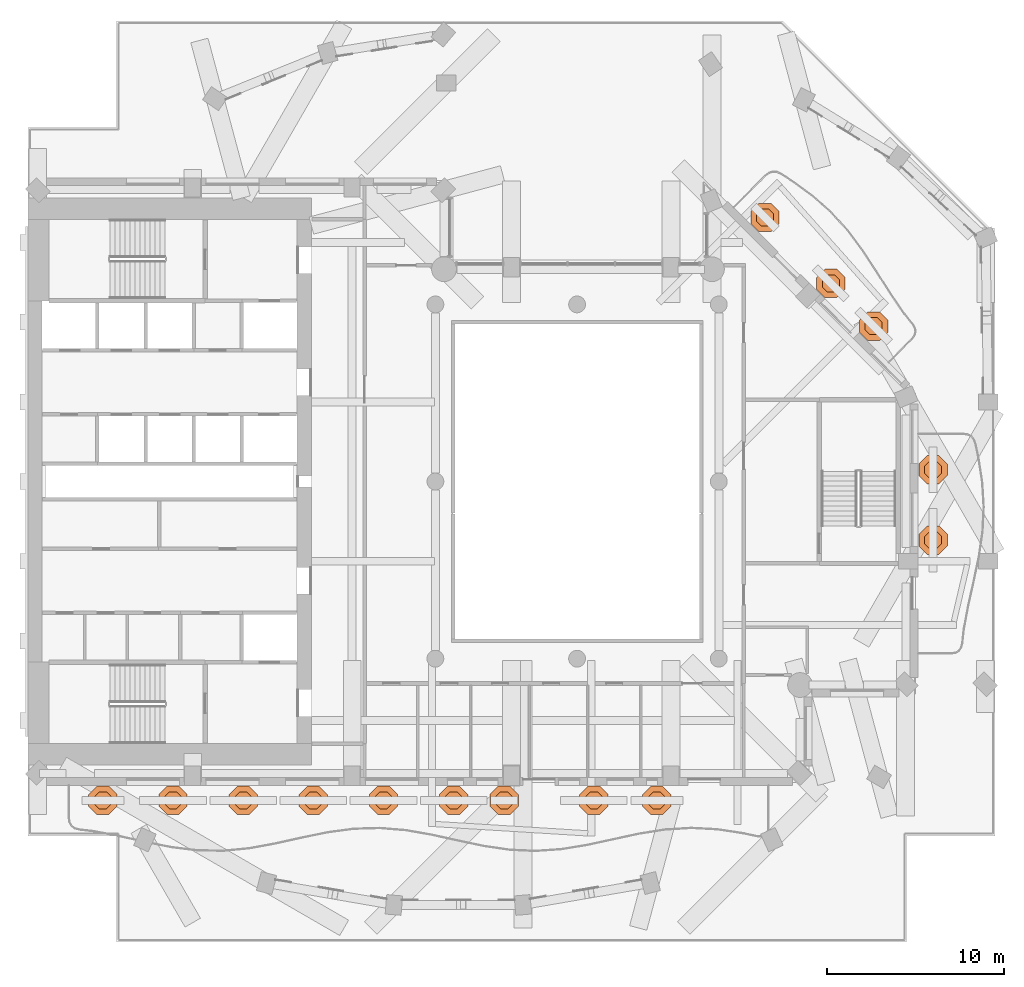
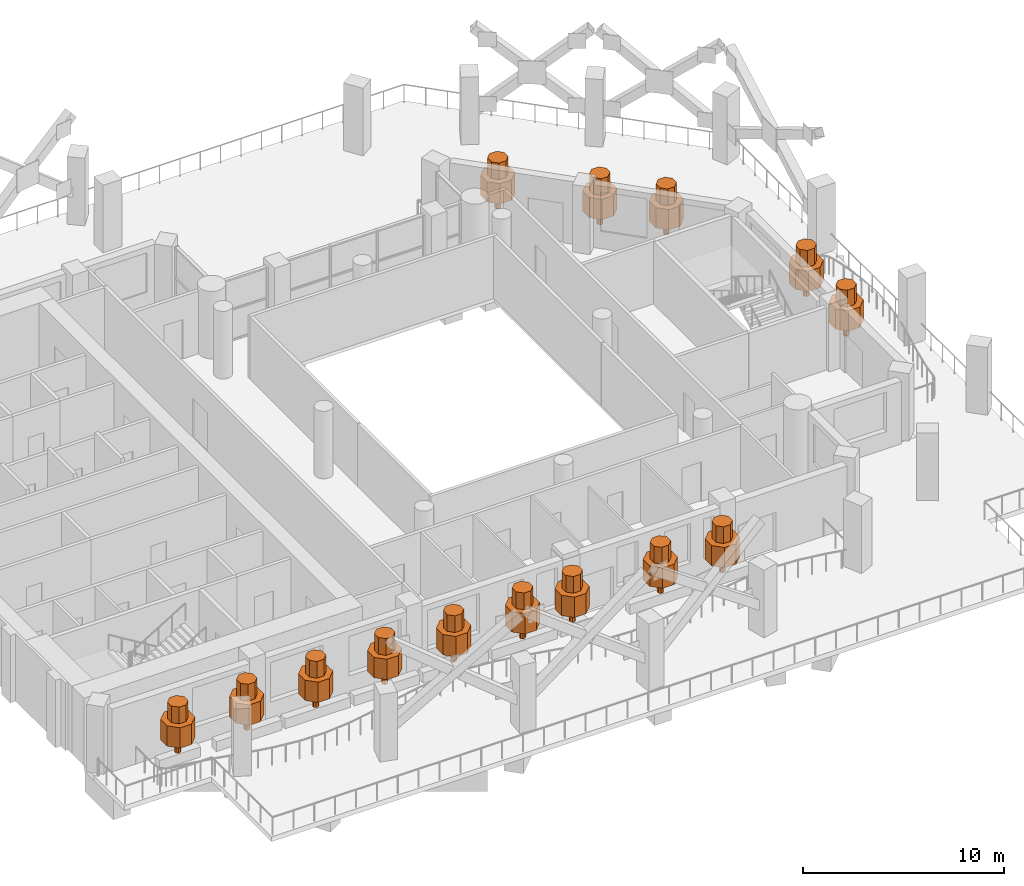
# One storey, part 18 of 18: 14 geographic elements.
"""IFC4 building model written with IfcOpenShell, lengths in metres."""

from ifc_helpers import new_model, si_unit, direction, frame, origin, place, context, subcontext, project, spatial, polyline, outline, extrude, material, type_object, element, save


model = new_model("IFC4")

# Units and contexts
model_context = context("Model", 3, precision=1e-05, world=origin(), true_north=direction((0.0, 1.0)))
body_context = subcontext(model_context, "Body", "Model", "MODEL_VIEW")
ifc_project = project(units=[si_unit("LENGTHUNIT", "METRE"), si_unit("AREAUNIT", "SQUARE_METRE"), si_unit("VOLUMEUNIT", "CUBIC_METRE"), si_unit("PLANEANGLEUNIT", "RADIAN"), si_unit("MASSUNIT", "GRAM", prefix="KILO")], contexts=[model_context])

# Site, building, storey
site_placement = place(None, origin())
site = spatial("IfcSite", under=ifc_project, at=site_placement, CompositionType="ELEMENT")
building_placement = place(site_placement, origin())
building = spatial("IfcBuilding", under=site, at=building_placement, Name="Cypress Arch Tower", CompositionType="ELEMENT")
storey_placement = place(building_placement, frame((0.0, 0.0, 160.5)))
storey = spatial("IfcBuildingStorey", under=building, at=storey_placement, Name="L34", CompositionType="ELEMENT", Elevation=160.5)

# Geographic elements
ifc_material = material(Name="Foliage and planting")
geographic_element_type = type_object("IfcGeographicElementType", Name="Balcony tree TR", PredefinedType="USERDEFINED", material=ifc_material)
for number, where, z_axis, x_axis, name in (
    (1, (-25.77001953125, -18.0, 0.60009765625), (0.0, 0.0, 1.0), (1.0, 0.0, 0.0), "Balcony tree L34-B01.1"),
    (2, (-21.81005859375, -18.0, 0.60009765625), (0.0, 0.0, 1.0), (1.0, 0.0, 0.0), "Balcony tree L34-B01.2"),
    (3, (-17.85009765625, -18.0, 0.60009765625), (0.0, 0.0, 1.0), (1.0, 0.0, 0.0), "Balcony tree L34-B01.3"),
    (4, (-13.889892578125, -18.0, 0.60009765625), (0.0, 0.0, 1.0), (1.0, 0.0, 0.0), "Balcony tree L34-B01.4"),
    (5, (-9.929931640625, -18.0, 0.60009765625), (0.0, 0.0, 1.0), (1.0, 0.0, 0.0), "Balcony tree L34-B01.5"),
    (6, (-5.969970703125, -18.0, 0.60009765625), (0.0, 0.0, 1.0), (1.0, 0.0, 0.0), "Balcony tree L34-B01.6"),
    (7, (-3.1201171875, -18.0, 0.60009765625), (0.0, 0.0, 1.0), (1.0, 0.0, 0.0), "Balcony tree L34-B01.7"),
    (8, (1.949951171875, -18.0, 0.60009765625), (0.0, 0.0, 1.0), (1.0, 0.0, 0.0), "Balcony tree L34-B01.8"),
    (9, (5.50244140625, -18.0, 0.60009765625), (0.0, 0.0, 1.0), (1.0, 0.0, 0.0), "Balcony tree L34-B01.9"),
    (10, (21.10009765625, -3.308349609375, 0.60009765625), (0.0, 0.0, 1.0), (1.0, 0.0, 0.0), "Balcony tree L34-B04.1"),
    (11, (21.10009765625, 0.666748046875, 0.60009765625), (0.0, 0.0, 1.0), (1.0, 0.0, 0.0), "Balcony tree L34-B04.2"),
    (12, (17.746337890625, 8.767822265625, 0.60009765625), (0.0, 0.0, 1.0), (1.0, 0.0, 0.0), "Balcony tree L34-B05.1"),
    (13, (15.324462890625, 11.189697265625, 0.60009765625), (0.0, 0.0, 1.0), (1.0, 0.0, 0.0), "Balcony tree L34-B05.2"),
    (14, (11.607177734375, 14.906982421875, 0.60009765625), (0.0, 0.0, 1.0), (1.0, 0.0, 0.0), "Balcony tree L34-B05.3"),
):
    element("IfcGeographicElement", number, at=place(storey_placement, frame(where, z_axis=z_axis, x_axis=x_axis)), inside=storey, type_object=geographic_element_type, Name=name, ObjectType="TREE", PredefinedType="USERDEFINED", context=body_context, shape_type="SweptSolid", body=[
        extrude(outline(polyline([(0.14990234375, 0.06201171875), (0.06201171875, 0.14990234375), (-0.06201171875, 0.14990234375), (-0.14990234375, 0.06201171875), (-0.14990234375, -0.06201171875), (-0.06201171875, -0.14990234375), (0.06201171875, -0.14990234375), (0.14990234375, -0.06201171875), (0.14990234375, 0.06201171875)])), origin(), (0.0, 0.0, 1.0), 0.89990234375),
        extrude(outline(polyline([(0.800048828125, 0.331298828125), (0.331298828125, 0.800048828125), (-0.331298828125, 0.800048828125), (-0.800048828125, 0.331298828125), (-0.800048828125, -0.331298828125), (-0.331298828125, -0.800048828125), (0.331298828125, -0.800048828125), (0.800048828125, -0.331298828125), (0.800048828125, 0.331298828125)])), frame((0.0, 0.0, 0.800048828125)), (0.0, 0.0, 1.0), 1.237548828125),
        extrude(outline(polyline([(0.47998046875, 0.19873046875), (0.19873046875, 0.47998046875), (-0.19873046875, 0.47998046875), (-0.47998046875, 0.19873046875), (-0.47998046875, -0.19873046875), (-0.19873046875, -0.47998046875), (0.19873046875, -0.47998046875), (0.47998046875, -0.19873046875), (0.47998046875, 0.19873046875)])), frame((0.0, 0.0, 2.03759765625)), (0.0, 0.0, 1.0), 1.012451171875),
    ])

save(model, "model.ifc")
